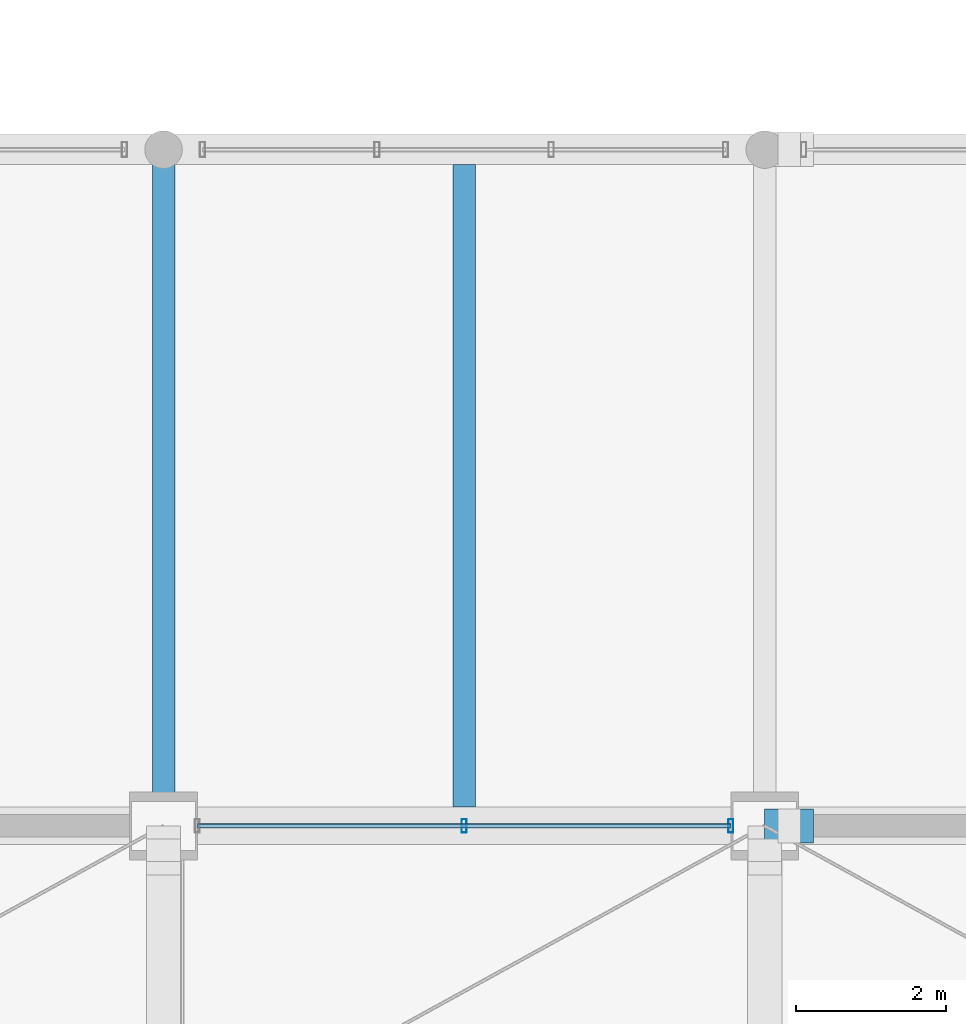
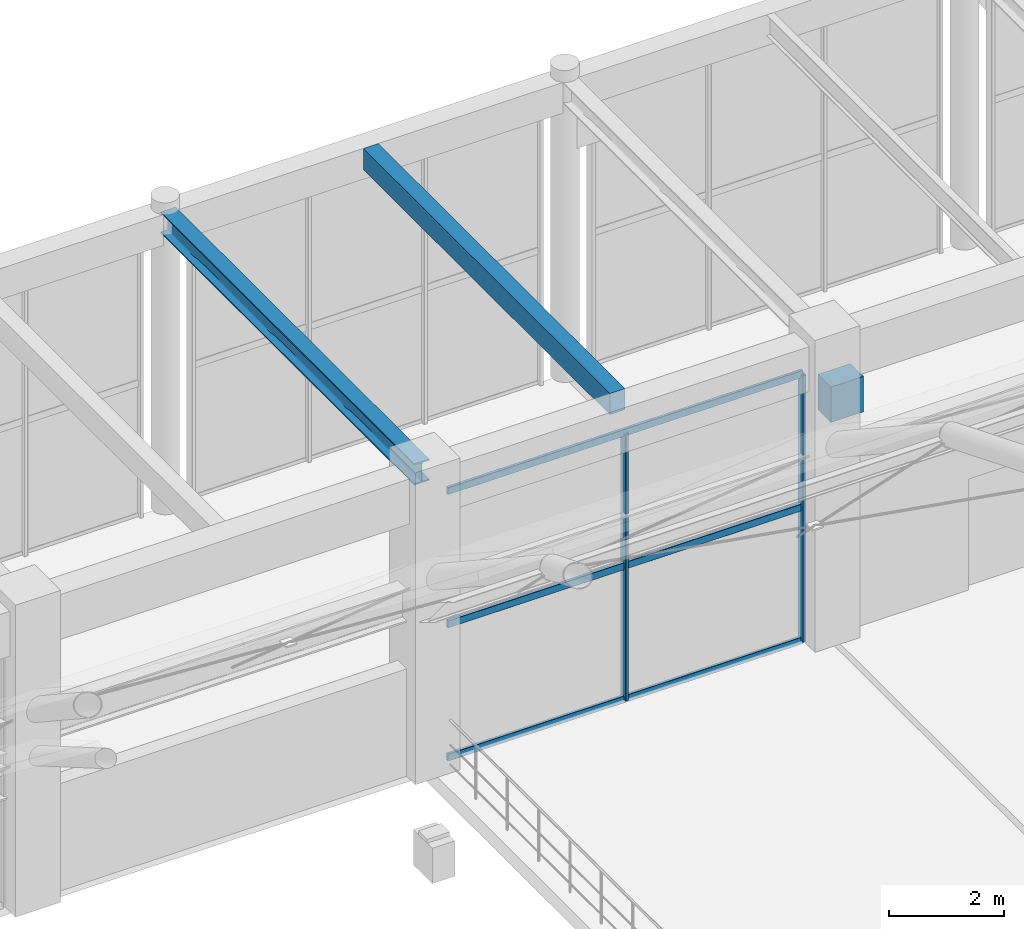
# One storey, part 67 of 163: 5 members, 3 beams, 1 element without a shape of its own.
"""IFC4 building model written with IfcOpenShell, lengths in metres."""

from ifc_helpers import new_model, si_unit, direction, frame, origin, origin_2d, place, context, subcontext, project, spatial, rectangle, hollow_rectangle, i_section, extrude, material, material_profile, profile_set, type_object, element, aggregate, save


model = new_model("IFC4")

# Units and contexts
model_context = context("Model", 3, precision=1e-05, world=origin(), true_north=direction((0.0, 1.0)))
body_context = subcontext(model_context, "Body", "Model", "MODEL_VIEW")
ifc_project = project(units=[si_unit("LENGTHUNIT", "METRE"), si_unit("AREAUNIT", "SQUARE_METRE"), si_unit("VOLUMEUNIT", "CUBIC_METRE"), si_unit("PLANEANGLEUNIT", "RADIAN"), si_unit("MASSUNIT", "GRAM", prefix="KILO")], contexts=[model_context])

# Site, building, storey
site_placement = place(None, origin())
site = spatial("IfcSite", under=ifc_project, at=site_placement, CompositionType="ELEMENT")
building_placement = place(site_placement, origin())
building = spatial("IfcBuilding", under=site, at=building_placement, Name="Varnabhumi Central Station", CompositionType="ELEMENT")
storey_placement = place(building_placement, frame((0.0, 0.0, 9.60009765625)))
storey = spatial("IfcBuildingStorey", under=building, at=storey_placement, Name="L02", CompositionType="ELEMENT", Elevation=9.60009765625)

# Beams
ifc_material_1 = material(Name="Concrete M40", Category="concrete")
ifc_material_profile_1 = material_profile(ifc_material_1, rectangle(XDim=0.300048828125, YDim=0.449951171875, at=origin_2d()), Name="Concrete M40", Category="concrete")
ifc_profile_set_1 = profile_set([ifc_material_profile_1], Name="Concrete M40")
beam_type_1 = type_object("IfcBeamType", Name="BM-RC-300x450", PredefinedType="JOIST", material=ifc_profile_set_1)
beam_1_placement = place(storey_placement, frame((60.0, 80.25, 6.125), z_axis=(0.0, 1.0, 0.0), x_axis=(-1.0, 0.0, 0.0)))
element("IfcBeam", 1, at=beam_1_placement, inside=storey, type_object=beam_type_1, Name="Secondary Joist L02-8/9:K-L", PredefinedType="JOIST", context=body_context, shape_type="SweptSolid", body=[
    extrude(rectangle(XDim=0.300048828125, YDim=0.449951171875, at=origin_2d()), origin(), (0.0, 0.0, 1.0), 8.550048828125),
])
ifc_material_profile_2 = material_profile(ifc_material_1, rectangle(XDim=0.449951171875, YDim=0.75, at=origin_2d()), Name="Concrete M40", Category="concrete")
ifc_profile_set_2 = profile_set([ifc_material_profile_2], Name="Concrete M40")
beam_type_2 = type_object("IfcBeamType", Name="BM-RC-450x750", PredefinedType="BEAM", material=ifc_profile_set_2)
beam_2_placement = place(storey_placement, frame((64.0, 80.0, 4.94482421875), z_axis=(1.0, 0.0, 0.0), x_axis=(0.0, 1.0, 0.0)))
element("IfcBeam", 2, at=beam_2_placement, inside=storey, type_object=beam_type_2, Name="Movement Joint 650mm Corbel Seat L02-K-9", PredefinedType="BEAM", context=body_context, shape_type="SweptSolid", body=[
    extrude(rectangle(XDim=0.449951171875, YDim=0.75, at=origin_2d()), origin(), (0.0, 0.0, 1.0), 0.64990234375),
])
ifc_material_2 = material(Name="Structural steel E350", Category="steel")
ifc_material_profile_3 = material_profile(ifc_material_2, i_section(OverallWidth=0.300048828125, OverallDepth=0.449951171875, WebThickness=0.013916015625, FlangeThickness=0.02587890625, FilletRadius=0.027099609375, at=origin_2d()), Name="Structural steel E350", Category="steel")
ifc_profile_set_3 = profile_set([ifc_material_profile_3], Name="Structural steel E350")
beam_type_3 = type_object("IfcBeamType", Name="BM-STL-WPB450", PredefinedType="BEAM", material=ifc_profile_set_3)
beam_3_placement = place(storey_placement, frame((56.0, 80.10009765625, 6.125), z_axis=(0.0, 1.0, 0.0), x_axis=(-1.0, 0.0, 0.0)))
element("IfcBeam", 3, at=beam_3_placement, inside=storey, type_object=beam_type_3, Name="Beam L02-8:K-L", PredefinedType="BEAM", context=body_context, shape_type="SweptSolid", body=[
    extrude(i_section(OverallWidth=0.300048828125, OverallDepth=0.449951171875, WebThickness=0.013916015625, FlangeThickness=0.02587890625, FilletRadius=0.027099609375, at=origin_2d()), origin(), (0.0, 0.0, 1.0), 8.7998046875),
])

# Curtain wall, members
ifc_material_3 = material(Name="Anodised aluminium 6063-T6", Category="aluminium")
curtain_wall_type = type_object("IfcCurtainWallType", Name="CW-SPINE-SCREEN-L2", PredefinedType="NOTDEFINED", material=ifc_material_3)
curtain_wall_placement = place(storey_placement, origin())
curtain_wall = element("IfcCurtainWall", 4, at=curtain_wall_placement, inside=storey, type_object=curtain_wall_type, Name="Curtain Wall CW-NS204", PredefinedType="NOTDEFINED")
ifc_material_profile_4 = material_profile(ifc_material_3, hollow_rectangle(XDim=0.06494140625, YDim=0.179931640625, WallThickness=0.00390625, InnerFilletRadius=0.001953125, OuterFilletRadius=0.006103515625, at=origin_2d()), Name="Anodised aluminium 6063-T6", Category="aluminium")
ifc_profile_set_4 = profile_set([ifc_material_profile_4], Name="Anodised aluminium 6063-T6")
member_type_1 = type_object("IfcMemberType", Name="CW-MUL-180", PredefinedType="MULLION", material=ifc_profile_set_4)
member_1_placement = place(storey_placement, frame((60.0, 80.0, 0.0), z_axis=(0.0, 0.0, 1.0), x_axis=(1.0, 0.0, 0.0)))
member_1 = element("IfcMember", 5, at=member_1_placement, type_object=member_type_1, Name="Curtain Wall Mullion CW-NS204-M2", PredefinedType="MULLION", context=body_context, shape_type="SweptSolid", body=[
    extrude(hollow_rectangle(XDim=0.06494140625, YDim=0.179931640625, WallThickness=0.00390625, InnerFilletRadius=0.001953125, OuterFilletRadius=0.006103515625, at=origin_2d()), origin(), (0.0, 0.0, 1.0), 5.639892578125),
])
member_2_placement = place(storey_placement, frame((63.550048828125, 80.0, 0.0), z_axis=(0.0, 0.0, 1.0), x_axis=(1.0, 0.0, 0.0)))
member_2 = element("IfcMember", 6, at=member_2_placement, type_object=member_type_1, Name="Curtain Wall Mullion CW-NS204-M3", PredefinedType="MULLION", context=body_context, shape_type="SweptSolid", body=[
    extrude(hollow_rectangle(XDim=0.06494140625, YDim=0.179931640625, WallThickness=0.00390625, InnerFilletRadius=0.001953125, OuterFilletRadius=0.006103515625, at=origin_2d()), origin(), (0.0, 0.0, 1.0), 5.639892578125),
])
ifc_material_profile_5 = material_profile(ifc_material_3, hollow_rectangle(XDim=0.06005859375, YDim=0.14990234375, WallThickness=0.00390625, InnerFilletRadius=0.001953125, OuterFilletRadius=0.006103515625, at=origin_2d()), Name="Anodised aluminium 6063-T6", Category="aluminium")
ifc_profile_set_5 = profile_set([ifc_material_profile_5], Name="Anodised aluminium 6063-T6")
member_type_2 = type_object("IfcMemberType", Name="CW-TR-150", PredefinedType="USERDEFINED", material=ifc_profile_set_5)
member_3_placement = place(storey_placement, frame((56.449951171875, 80.0, 0.0), z_axis=(1.0, 0.0, 0.0), x_axis=(0.0, 1.0, 0.0)))
member_3 = element("IfcMember", 7, at=member_3_placement, type_object=member_type_2, Name="Curtain Wall Transom CW-NS204-T1", ObjectType="TRANSOM", PredefinedType="USERDEFINED", context=body_context, shape_type="SweptSolid", body=[
    extrude(hollow_rectangle(XDim=0.06005859375, YDim=0.14990234375, WallThickness=0.00390625, InnerFilletRadius=0.001953125, OuterFilletRadius=0.006103515625, at=origin_2d()), origin(), (0.0, 0.0, 1.0), 7.10009765625),
])
member_4_placement = place(storey_placement, frame((56.449951171875, 80.0, 2.81982421875), z_axis=(1.0, 0.0, 0.0), x_axis=(0.0, 1.0, 0.0)))
member_4 = element("IfcMember", 8, at=member_4_placement, type_object=member_type_2, Name="Curtain Wall Transom CW-NS204-T2", ObjectType="TRANSOM", PredefinedType="USERDEFINED", context=body_context, shape_type="SweptSolid", body=[
    extrude(hollow_rectangle(XDim=0.06005859375, YDim=0.14990234375, WallThickness=0.00390625, InnerFilletRadius=0.001953125, OuterFilletRadius=0.006103515625, at=origin_2d()), origin(), (0.0, 0.0, 1.0), 7.10009765625),
])
member_5_placement = place(storey_placement, frame((56.449951171875, 80.0, 5.639892578125), z_axis=(1.0, 0.0, 0.0), x_axis=(0.0, 1.0, 0.0)))
member_5 = element("IfcMember", 9, at=member_5_placement, type_object=member_type_2, Name="Curtain Wall Transom CW-NS204-T3", ObjectType="TRANSOM", PredefinedType="USERDEFINED", context=body_context, shape_type="SweptSolid", body=[
    extrude(hollow_rectangle(XDim=0.06005859375, YDim=0.14990234375, WallThickness=0.00390625, InnerFilletRadius=0.001953125, OuterFilletRadius=0.006103515625, at=origin_2d()), origin(), (0.0, 0.0, 1.0), 7.10009765625),
])
aggregate(curtain_wall, [member_1, member_2, member_3, member_4, member_5])

save(model, "model.ifc")
